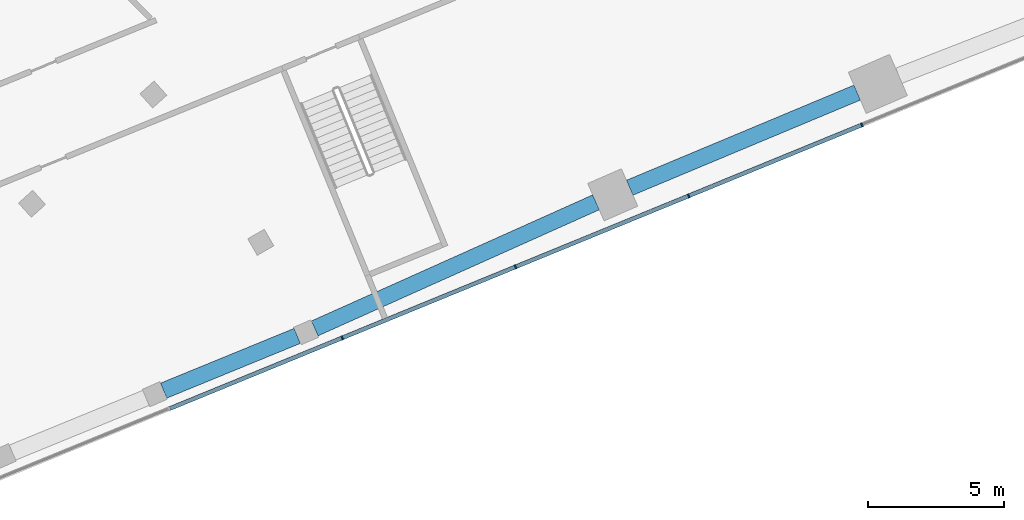
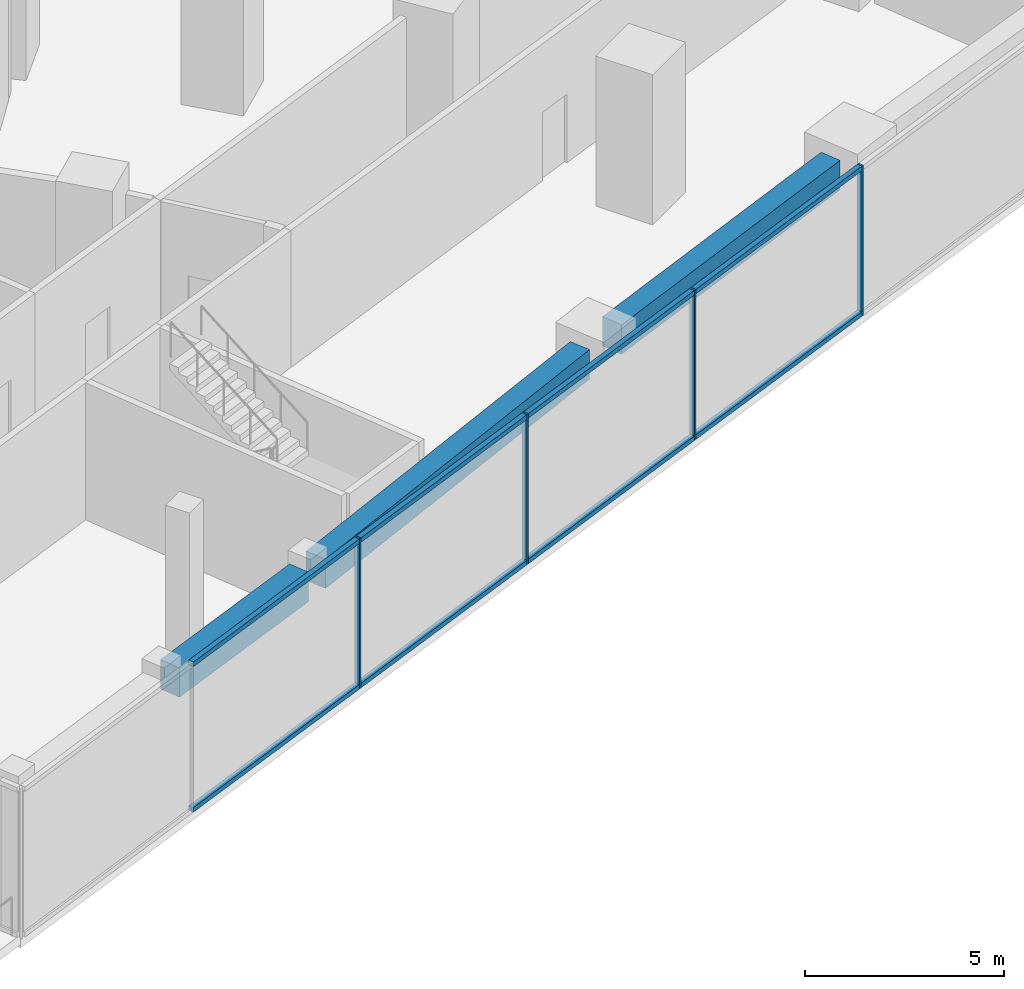
# One storey, part 9 of 40: 12 members, 3 beams, 1 element without a shape of its own.
"""IFC4 building model written with IfcOpenShell, lengths in metres."""

from ifc_helpers import new_model, si_unit, direction, frame, origin, origin_2d, place, context, subcontext, project, spatial, rectangle, extrude, material, layer, layer_set, material_profile, profile_set, type_object, element, aggregate, save


model = new_model("IFC4")

# Units and contexts
model_context = context("Model", 3, precision=1e-05, world=origin(), true_north=direction((0.0, 1.0)))
body_context = subcontext(model_context, "Body", "Model", "MODEL_VIEW")
ifc_project = project(units=[si_unit("LENGTHUNIT", "METRE"), si_unit("AREAUNIT", "SQUARE_METRE"), si_unit("VOLUMEUNIT", "CUBIC_METRE"), si_unit("PLANEANGLEUNIT", "RADIAN"), si_unit("MASSUNIT", "GRAM", prefix="KILO")], contexts=[model_context])

# Site, building, storey
site_placement = place(None, origin())
site = spatial("IfcSite", under=ifc_project, at=site_placement, CompositionType="ELEMENT")
building_placement = place(site_placement, origin())
building = spatial("IfcBuilding", under=site, at=building_placement, Name="Stone Belt Terrace Tower", CompositionType="ELEMENT")
storey_placement = place(building_placement, frame((0.0, 0.0, 7.0)))
storey = spatial("IfcBuildingStorey", under=building, at=storey_placement, Name="L01", CompositionType="ELEMENT", Elevation=7.0)

# Curtain wall, members
ifc_material_1 = material(Name="Aluminium 6063-T6 anodised frame", Category="aluminium")
ifc_layer = layer(ifc_material_1, 0.14990234375)
ifc_layer_set = layer_set([ifc_layer], Name="CW-D podium shopfront")
curtain_wall_type = type_object("IfcCurtainWallType", Name="CW-D podium shopfront", PredefinedType="NOTDEFINED", material=ifc_layer_set)
curtain_wall_placement = place(storey_placement, origin())
curtain_wall = element("IfcCurtainWall", 1, at=curtain_wall_placement, inside=storey, type_object=curtain_wall_type, Name="CW-D end face L01", PredefinedType="NOTDEFINED")
ifc_material_profile_1 = material_profile(ifc_material_1, rectangle(XDim=0.14990234375, YDim=0.06005859375, at=origin_2d()), Name="Aluminium 6063-T6 60x150")
ifc_profile_set_1 = profile_set([ifc_material_profile_1], Name="Aluminium 6063-T6 anodised frame")
member_type_1 = type_object("IfcMemberType", Name="CW-D mullion 60 x 150", PredefinedType="MULLION", material=ifc_profile_set_1)
member_1_placement = place(storey_placement, frame((30.794677734375, 12.54052734375, 0.0), z_axis=(0.0, 0.0, 1.0), x_axis=(-0.379243093825, 0.925297074342, 0.0)))
member_1 = element("IfcMember", 2, at=member_1_placement, type_object=member_type_1, Name="CW-D mullion 3", PredefinedType="MULLION", context=body_context, shape_type="SweptSolid", body=[
    extrude(rectangle(XDim=0.14990234375, YDim=0.06005859375, at=origin_2d()), origin(), (0.0, 0.0, 1.0), 4.60009765625),
])
member_2_placement = place(storey_placement, frame((37.156005859375, 15.147705078125, 0.0), z_axis=(0.0, 0.0, 1.0), x_axis=(-0.379243093825, 0.925297074342, 0.0)))
member_2 = element("IfcMember", 3, at=member_2_placement, type_object=member_type_1, Name="CW-D mullion 4", PredefinedType="MULLION", context=body_context, shape_type="SweptSolid", body=[
    extrude(rectangle(XDim=0.14990234375, YDim=0.06005859375, at=origin_2d()), origin(), (0.0, 0.0, 1.0), 4.60009765625),
])
member_3_placement = place(storey_placement, frame((43.517333984375, 17.755126953125, 0.0), z_axis=(0.0, 0.0, 1.0), x_axis=(-0.379243093825, 0.925297074342, 0.0)))
member_3 = element("IfcMember", 4, at=member_3_placement, type_object=member_type_1, Name="CW-D mullion 5", PredefinedType="MULLION", context=body_context, shape_type="SweptSolid", body=[
    extrude(rectangle(XDim=0.14990234375, YDim=0.06005859375, at=origin_2d()), origin(), (0.0, 0.0, 1.0), 4.60009765625),
])
member_4_placement = place(storey_placement, frame((49.87890625, 20.3623046875, 0.0), z_axis=(0.0, 0.0, 1.0), x_axis=(-0.379243093825, 0.925297074342, 0.0)))
member_4 = element("IfcMember", 5, at=member_4_placement, type_object=member_type_1, Name="CW-D mullion 6", PredefinedType="MULLION", context=body_context, shape_type="SweptSolid", body=[
    extrude(rectangle(XDim=0.14990234375, YDim=0.06005859375, at=origin_2d()), origin(), (0.0, 0.0, 1.0), 4.60009765625),
])
ifc_material_profile_2 = material_profile(ifc_material_1, rectangle(XDim=0.14990234375, YDim=0.139892578125, at=origin_2d()), Name="Aluminium 6063-T6 150x140")
ifc_profile_set_2 = profile_set([ifc_material_profile_2], Name="Aluminium 6063-T6 anodised frame")
member_type_2 = type_object("IfcMemberType", Name="CW-D transom 140 x 150", PredefinedType="USERDEFINED", material=ifc_profile_set_2)
member_5_placement = place(storey_placement, frame((24.4609375, 9.944580078125, 0.070068359375), z_axis=(0.925300811022, 0.37923397675, 0.0), x_axis=(-0.37923397675, 0.925300811022, 0.0)))
member_5 = element("IfcMember", 6, at=member_5_placement, type_object=member_type_2, Name="CW-D transom 2.1", ObjectType="TRANSOM", PredefinedType="USERDEFINED", context=body_context, shape_type="SweptSolid", body=[
    extrude(rectangle(XDim=0.14990234375, YDim=0.139892578125, at=origin_2d()), origin(), (0.0, 0.0, 1.0), 6.81494140625),
])
member_6_placement = place(storey_placement, frame((24.4609375, 9.944580078125, 4.530029296875), z_axis=(0.925300811022, 0.37923397675, 0.0), x_axis=(-0.37923397675, 0.925300811022, 0.0)))
member_6 = element("IfcMember", 7, at=member_6_placement, type_object=member_type_2, Name="CW-D transom 2.2", ObjectType="TRANSOM", PredefinedType="USERDEFINED", context=body_context, shape_type="SweptSolid", body=[
    extrude(rectangle(XDim=0.14990234375, YDim=0.139892578125, at=origin_2d()), origin(), (0.0, 0.0, 1.0), 6.81494140625),
])
member_7_placement = place(storey_placement, frame((30.822265625, 12.5517578125, 0.070068359375), z_axis=(0.925288239809, 0.379264648064, 0.0), x_axis=(-0.379264648064, 0.925288239809, 0.0)))
member_7 = element("IfcMember", 8, at=member_7_placement, type_object=member_type_2, Name="CW-D transom 3.1", ObjectType="TRANSOM", PredefinedType="USERDEFINED", context=body_context, shape_type="SweptSolid", body=[
    extrude(rectangle(XDim=0.14990234375, YDim=0.139892578125, at=origin_2d()), origin(), (0.0, 0.0, 1.0), 6.815185546875),
])
member_8_placement = place(storey_placement, frame((30.822265625, 12.5517578125, 4.530029296875), z_axis=(0.925288239809, 0.379264648064, 0.0), x_axis=(-0.379264648064, 0.925288239809, 0.0)))
member_8 = element("IfcMember", 9, at=member_8_placement, type_object=member_type_2, Name="CW-D transom 3.2", ObjectType="TRANSOM", PredefinedType="USERDEFINED", context=body_context, shape_type="SweptSolid", body=[
    extrude(rectangle(XDim=0.14990234375, YDim=0.139892578125, at=origin_2d()), origin(), (0.0, 0.0, 1.0), 6.815185546875),
])
member_9_placement = place(storey_placement, frame((37.183837890625, 15.1591796875, 0.070068359375), z_axis=(0.925300811022, 0.37923397675, 0.0), x_axis=(-0.37923397675, 0.925300811022, 0.0)))
member_9 = element("IfcMember", 10, at=member_9_placement, type_object=member_type_2, Name="CW-D transom 4.1", ObjectType="TRANSOM", PredefinedType="USERDEFINED", context=body_context, shape_type="SweptSolid", body=[
    extrude(rectangle(XDim=0.14990234375, YDim=0.139892578125, at=origin_2d()), origin(), (0.0, 0.0, 1.0), 6.81494140625),
])
member_10_placement = place(storey_placement, frame((37.183837890625, 15.1591796875, 4.530029296875), z_axis=(0.925300811022, 0.37923397675, 0.0), x_axis=(-0.37923397675, 0.925300811022, 0.0)))
member_10 = element("IfcMember", 11, at=member_10_placement, type_object=member_type_2, Name="CW-D transom 4.2", ObjectType="TRANSOM", PredefinedType="USERDEFINED", context=body_context, shape_type="SweptSolid", body=[
    extrude(rectangle(XDim=0.14990234375, YDim=0.139892578125, at=origin_2d()), origin(), (0.0, 0.0, 1.0), 6.81494140625),
])
member_11_placement = place(storey_placement, frame((43.545166015625, 17.766357421875, 0.070068359375), z_axis=(0.925300811022, 0.37923397675, 0.0), x_axis=(-0.37923397675, 0.925300811022, 0.0)))
member_11 = element("IfcMember", 12, at=member_11_placement, type_object=member_type_2, Name="CW-D transom 5.1", ObjectType="TRANSOM", PredefinedType="USERDEFINED", context=body_context, shape_type="SweptSolid", body=[
    extrude(rectangle(XDim=0.14990234375, YDim=0.139892578125, at=origin_2d()), origin(), (0.0, 0.0, 1.0), 6.81494140625),
])
member_12_placement = place(storey_placement, frame((43.545166015625, 17.766357421875, 4.530029296875), z_axis=(0.925300811022, 0.37923397675, 0.0), x_axis=(-0.37923397675, 0.925300811022, 0.0)))
member_12 = element("IfcMember", 13, at=member_12_placement, type_object=member_type_2, Name="CW-D transom 5.2", ObjectType="TRANSOM", PredefinedType="USERDEFINED", context=body_context, shape_type="SweptSolid", body=[
    extrude(rectangle(XDim=0.14990234375, YDim=0.139892578125, at=origin_2d()), origin(), (0.0, 0.0, 1.0), 6.81494140625),
])
aggregate(curtain_wall, [member_1, member_2, member_3, member_4, member_5, member_6, member_7, member_8, member_9, member_10, member_11, member_12])

# Beams
ifc_material_2 = material(Name="Concrete B60", Category="concrete")
ifc_material_profile_3 = material_profile(ifc_material_2, rectangle(XDim=0.60009765625, YDim=0.89990234375, at=origin_2d()), Name="RC 600x900")
ifc_profile_set_3 = profile_set([ifc_material_profile_3], Name="Concrete B60")
beam_type = type_object("IfcBeamType", Name="Edge beam RC 600x900 B60", PredefinedType="SPANDREL", material=ifc_profile_set_3)
beam_1_placement = place(storey_placement, frame((24.232421875, 10.601806640625, 3.75), z_axis=(0.925289242227, 0.379262202466, 0.0), x_axis=(-0.379262202466, 0.925289242227, 0.0)))
element("IfcBeam", 14, at=beam_1_placement, inside=storey, type_object=beam_type, Name="Edge beam L01 B N to O", PredefinedType="SPANDREL", context=body_context, shape_type="SweptSolid", body=[
    extrude(rectangle(XDim=0.60009765625, YDim=0.89990234375, at=origin_2d()), origin(), (0.0, 0.0, 1.0), 5.301025390625),
])
beam_2_placement = place(storey_placement, frame((29.78076171875, 12.88818359375, 3.75), z_axis=(0.91252459094, 0.409021846519, 0.0), x_axis=(-0.409021846519, 0.91252459094, 0.0)))
element("IfcBeam", 15, at=beam_2_placement, inside=storey, type_object=beam_type, Name="Edge beam L01 B O to P", PredefinedType="SPANDREL", context=body_context, shape_type="SweptSolid", body=[
    extrude(rectangle(XDim=0.60009765625, YDim=0.89990234375, at=origin_2d()), origin(), (0.0, 0.0, 1.0), 11.320556640625),
])
beam_3_placement = place(storey_placement, frame((41.35009765625, 18.05517578125, 3.75), z_axis=(0.922576038767, 0.385815309044, 0.0), x_axis=(-0.385815309044, 0.922576038767, 0.0)))
element("IfcBeam", 16, at=beam_3_placement, inside=storey, type_object=beam_type, Name="Edge beam L01 B P to Q", PredefinedType="SPANDREL", context=body_context, shape_type="SweptSolid", body=[
    extrude(rectangle(XDim=0.60009765625, YDim=0.89990234375, at=origin_2d()), origin(), (0.0, 0.0, 1.0), 9.055908203125),
])

save(model, "model.ifc")
